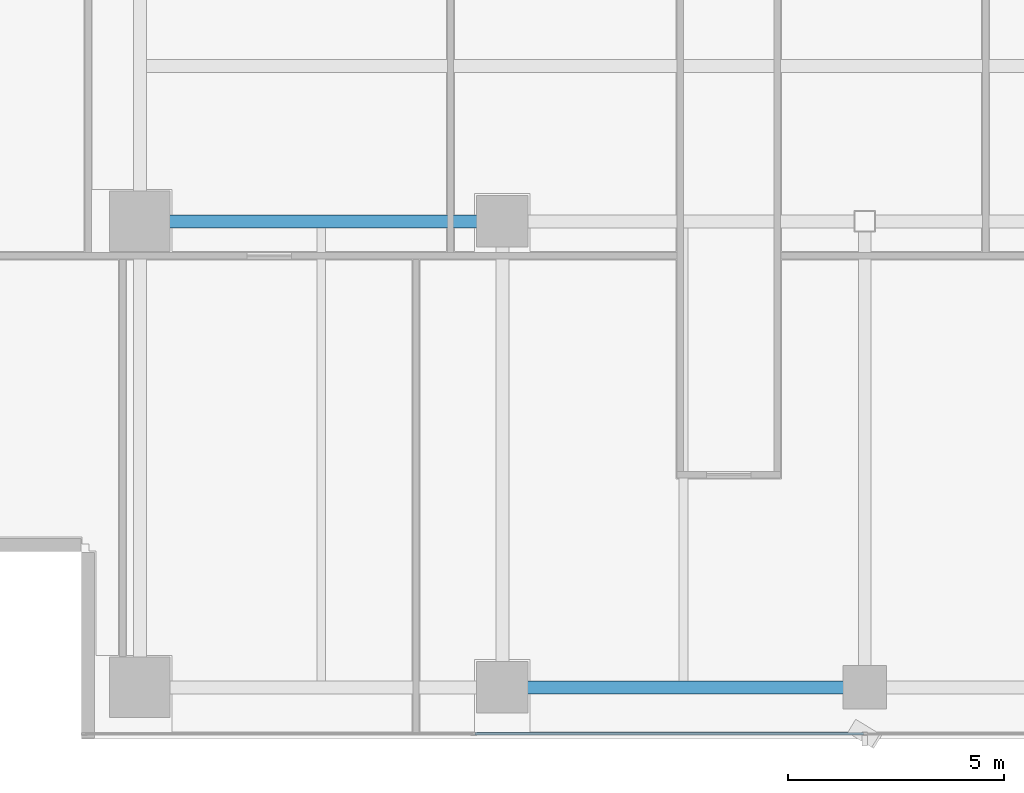
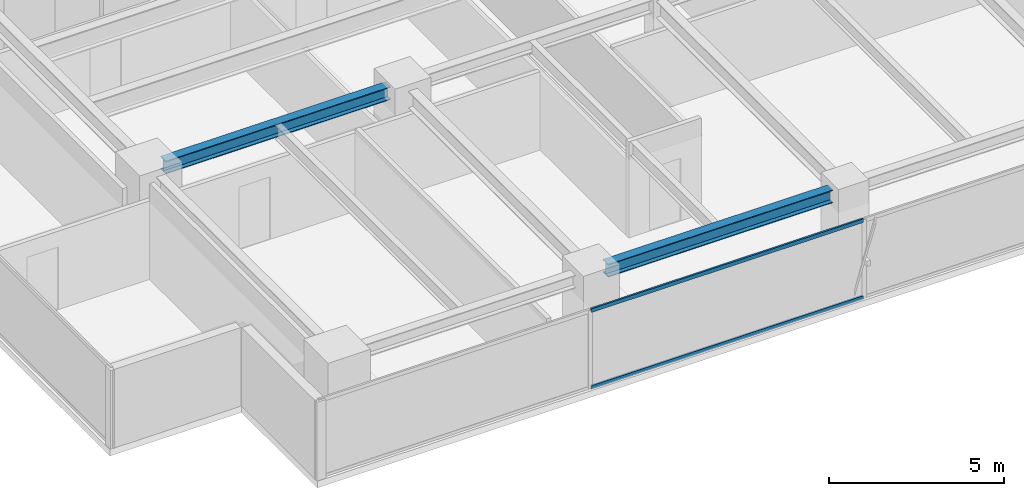
# One storey, part 5 of 25: 2 beams, 2 members, 1 element without a shape of its own.
"""IFC4 building model written with IfcOpenShell, lengths in metres."""

from ifc_helpers import new_model, si_unit, direction, frame, origin, origin_2d, place, context, subcontext, project, spatial, hollow_rectangle, i_section, extrude, source, transform, mapped, material, layer, layer_set, material_profile, profile_set, type_object, element, aggregate, save


model = new_model("IFC4")

# Units and contexts
model_context = context("Model", 3, precision=1e-05, world=origin(), true_north=direction((0.0, 1.0)))
body_context = subcontext(model_context, "Body", "Model", "MODEL_VIEW")
ifc_project = project(units=[si_unit("LENGTHUNIT", "METRE"), si_unit("AREAUNIT", "SQUARE_METRE"), si_unit("VOLUMEUNIT", "CUBIC_METRE"), si_unit("PLANEANGLEUNIT", "RADIAN"), si_unit("MASSUNIT", "GRAM", prefix="KILO")], contexts=[model_context])

# Site, building, storey
site_placement = place(None, origin())
site = spatial("IfcSite", under=ifc_project, at=site_placement, CompositionType="ELEMENT")
building_placement = place(site_placement, origin())
building = spatial("IfcBuilding", under=site, at=building_placement, Name="Sumidabori Civic Tower", CompositionType="ELEMENT")
storey_placement = place(building_placement, frame((0.0, 0.0, 246.800048828125)))
storey = spatial("IfcBuildingStorey", under=building, at=storey_placement, Name="L64", CompositionType="ELEMENT", Elevation=246.800048828125)

# Beams
ifc_material_1 = material(Name="Steel SN490", Category="steel")
ifc_material_profile_1 = material_profile(ifc_material_1, i_section(OverallWidth=0.300048828125, OverallDepth=0.449951171875, WebThickness=0.013916015625, FlangeThickness=0.02587890625, at=origin_2d()), Name="HE 450 B")
ifc_profile_set_1 = profile_set([ifc_material_profile_1], Name="Steel SN490")
beam_type = type_object("IfcBeamType", Name="BM-GIRD-450", PredefinedType="BEAM", material=ifc_profile_set_1)
shared_shape_1 = source(origin(), body_context, "Body", "SweptSolid", [
    extrude(i_section(OverallWidth=0.300048828125, OverallDepth=0.449951171875, WebThickness=0.013916015625, FlangeThickness=0.02587890625, at=origin_2d()), origin(), (0.0, 0.0, 1.0), 7.440185546875),
])
beam_1_placement = place(storey_placement, frame((-16.320068359375, 0.0, 3.14501953125), z_axis=(1.0, 0.0, 0.0), x_axis=(0.0, 1.0, 0.0)))
element("IfcBeam", 1, at=beam_1_placement, inside=storey, type_object=beam_type, Name="Primary Girder L64 GX-05", PredefinedType="BEAM", context=body_context, shape_type="MappedRepresentation", body=[
    mapped(shared_shape_1, transform((0.0, 0.0, 0.0), x_axis=(1.0, 0.0, 0.0), y_axis=(0.0, 1.0, 0.0), z_axis=(0.0, 0.0, 1.0), scale=1.0)),
])
shared_shape_2 = source(origin(), body_context, "Body", "SweptSolid", [
    extrude(i_section(OverallWidth=0.300048828125, OverallDepth=0.449951171875, WebThickness=0.013916015625, FlangeThickness=0.02587890625, at=origin_2d()), origin(), (0.0, 0.0, 1.0), 7.43994140625),
])
beam_2_placement = place(storey_placement, frame((-7.919921875, -10.800048828125, 3.14501953125), z_axis=(1.0, 0.0, 0.0), x_axis=(0.0, 1.0, 0.0)))
element("IfcBeam", 2, at=beam_2_placement, inside=storey, type_object=beam_type, Name="Primary Girder L64 GX-02", PredefinedType="BEAM", context=body_context, shape_type="MappedRepresentation", body=[
    mapped(shared_shape_2, transform((0.0, 0.0, 0.0), x_axis=(1.0, 0.0, 0.0), y_axis=(0.0, 1.0, 0.0), z_axis=(0.0, 0.0, 1.0), scale=1.0)),
])

# Curtain wall, members
ifc_material_2 = material(Name="Anodised Bronze Aluminium AW-6063-T6", Category="aluminium")
ifc_layer = layer(ifc_material_2, 0.179931640625, Name="Anodised Bronze Aluminium AW-6063-T6")
ifc_layer_set = layer_set([ifc_layer], Name="Anodised Bronze Aluminium AW-6063-T6")
curtain_wall_type = type_object("IfcCurtainWallType", Name="CW-SYS-5", PredefinedType="NOTDEFINED", material=ifc_layer_set)
curtain_wall_placement = place(storey_placement, origin())
curtain_wall = element("IfcCurtainWall", 3, at=curtain_wall_placement, inside=storey, type_object=curtain_wall_type, Name="Curtain Wall CW:L64:R01", PredefinedType="NOTDEFINED")
ifc_material_profile_2 = material_profile(ifc_material_2, hollow_rectangle(XDim=0.06005859375, YDim=0.1298828125, WallThickness=0.0048828125, at=origin_2d()), Name="ALU TRANSOM 130x60")
ifc_profile_set_2 = profile_set([ifc_material_profile_2], Name="Anodised Bronze Aluminium AW-6063-T6")
member_type = type_object("IfcMemberType", Name="CW-TRN-130", PredefinedType="USERDEFINED", material=ifc_profile_set_2)
shared_shape_3 = source(origin(), body_context, "Body", "SweptSolid", [
    extrude(hollow_rectangle(XDim=0.06005859375, YDim=0.1298828125, WallThickness=0.0048828125, at=origin_2d()), origin(), (0.0, 0.0, 1.0), 9.0),
])
member_1_placement = place(storey_placement, frame((-9.030029296875, -11.8798828125, 0.030029296875), z_axis=(1.0, 0.0, 0.0), x_axis=(0.0, 1.0, 0.0)))
member_1 = element("IfcMember", 4, at=member_1_placement, type_object=member_type, Name="CW-5 transom 2.1", ObjectType="TRANSOM", PredefinedType="USERDEFINED", context=body_context, shape_type="MappedRepresentation", body=[
    mapped(shared_shape_3, transform((0.0, 0.0, 0.0), x_axis=(1.0, 0.0, 0.0), y_axis=(0.0, 1.0, 0.0), z_axis=(0.0, 0.0, 1.0), scale=1.0)),
])
member_2_placement = place(storey_placement, frame((-9.030029296875, -11.8798828125, 2.719970703125), z_axis=(1.0, 0.0, 0.0), x_axis=(0.0, 1.0, 0.0)))
member_2 = element("IfcMember", 5, at=member_2_placement, type_object=member_type, Name="CW-5 transom 2.2", ObjectType="TRANSOM", PredefinedType="USERDEFINED", context=body_context, shape_type="MappedRepresentation", body=[
    mapped(shared_shape_3, transform((0.0, 0.0, 0.0), x_axis=(1.0, 0.0, 0.0), y_axis=(0.0, 1.0, 0.0), z_axis=(0.0, 0.0, 1.0), scale=1.0)),
])
aggregate(curtain_wall, [member_1, member_2])

save(model, "model.ifc")
